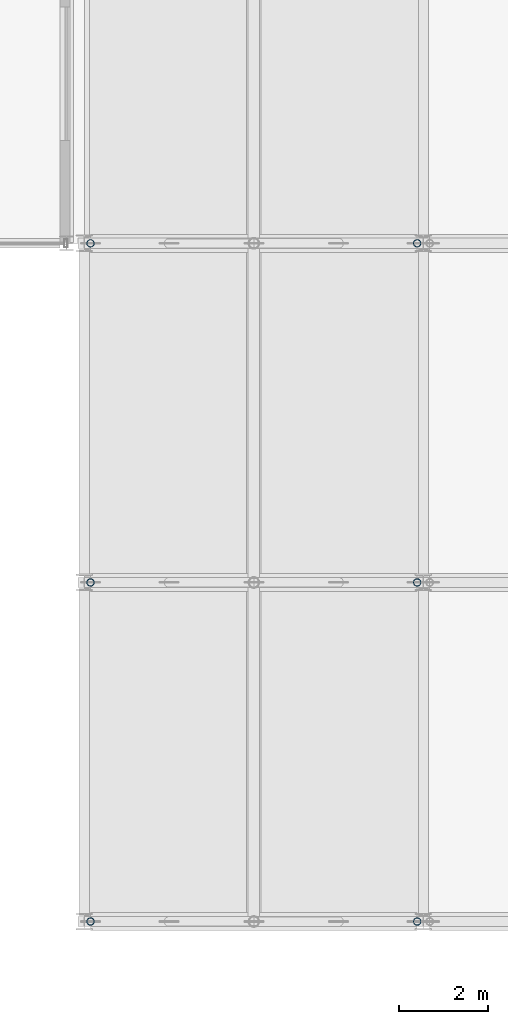
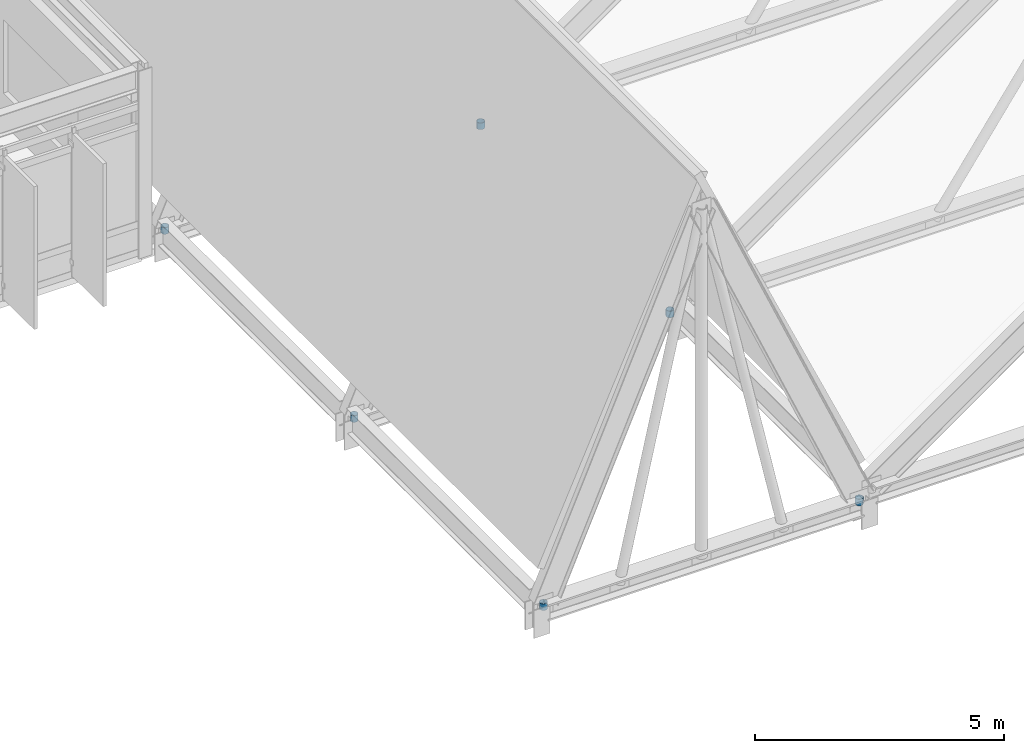
# One storey, part 63 of 100: 6 members.
"""IFC4 building model written with IfcOpenShell, lengths in metres."""

from ifc_helpers import new_model, si_unit, direction, frame, origin, origin_2d, place, context, subcontext, project, spatial, hollow_circle, extrude, material, material_profile, profile_set, type_object, element, save


model = new_model("IFC4")

# Units and contexts
model_context = context("Model", 3, precision=1e-05, world=origin(), true_north=direction((0.0, 1.0)))
body_context = subcontext(model_context, "Body", "Model", "MODEL_VIEW")
ifc_project = project(units=[si_unit("LENGTHUNIT", "METRE"), si_unit("AREAUNIT", "SQUARE_METRE"), si_unit("VOLUMEUNIT", "CUBIC_METRE"), si_unit("PLANEANGLEUNIT", "RADIAN"), si_unit("MASSUNIT", "GRAM", prefix="KILO")], contexts=[model_context])

# Site, building, storey
site_placement = place(None, origin())
site = spatial("IfcSite", under=ifc_project, at=site_placement, CompositionType="ELEMENT")
building_placement = place(site_placement, origin())
building = spatial("IfcBuilding", under=site, at=building_placement, Name="Zulena Civic Courthouse", CompositionType="ELEMENT")
storey_placement = place(building_placement, frame((0.0, 0.0, 20.39990234375)))
storey = spatial("IfcBuildingStorey", under=building, at=storey_placement, Name="L04", CompositionType="ELEMENT", Elevation=20.39990234375)

# Members
ifc_material = material(Name="Steel ASTM A500 Grade C", Category="steel")
ifc_material_profile = material_profile(ifc_material, hollow_circle(Radius=0.083984375, WallThickness=0.00732421875, at=origin_2d()), Name="HSS6.625X0.312")
ifc_profile_set = profile_set([ifc_material_profile], Name="Steel ASTM A500 Grade C")
member_type = type_object("IfcMemberType", Name="RoofWeb_CHS6", PredefinedType="USERDEFINED", material=ifc_profile_set)
for number, where, z_axis, x_axis, name in (
    (1, (124.5400390625, 0.0, 0.325439453125), (0.0, 0.0, 1.0), (1.0, 0.0, 0.0), "mem:fold:postW:05:0.0"),
    (2, (131.860107421875, 0.0, 0.325439453125), (0.0, 0.0, 1.0), (1.0, 0.0, 0.0), "mem:fold:postE:05:0.0"),
    (3, (124.5400390625, 7.60009765625, 0.325439453125), (0.0, 0.0, 1.0), (1.0, 0.0, 0.0), "mem:fold:postW:05:7.6"),
    (4, (131.860107421875, 7.60009765625, 0.325439453125), (0.0, 0.0, 1.0), (1.0, 0.0, 0.0), "mem:fold:postE:05:7.6"),
    (5, (124.5400390625, 15.199951171875, 0.325439453125), (0.0, 0.0, 1.0), (1.0, 0.0, 0.0), "mem:fold:postW:05:15.2"),
    (6, (131.860107421875, 15.199951171875, 0.325439453125), (0.0, 0.0, 1.0), (1.0, 0.0, 0.0), "mem:fold:postE:05:15.2"),
):
    element("IfcMember", number, at=place(storey_placement, frame(where, z_axis=z_axis, x_axis=x_axis)), inside=storey, type_object=member_type, Name=name, ObjectType="ROOF TRUSS", PredefinedType="USERDEFINED", context=body_context, shape_type="SweptSolid", body=[
        extrude(hollow_circle(Radius=0.083984375, WallThickness=0.00732421875, at=origin_2d()), origin(), (0.0, 0.0, 1.0), 0.16015625),
    ])

save(model, "model.ifc")
